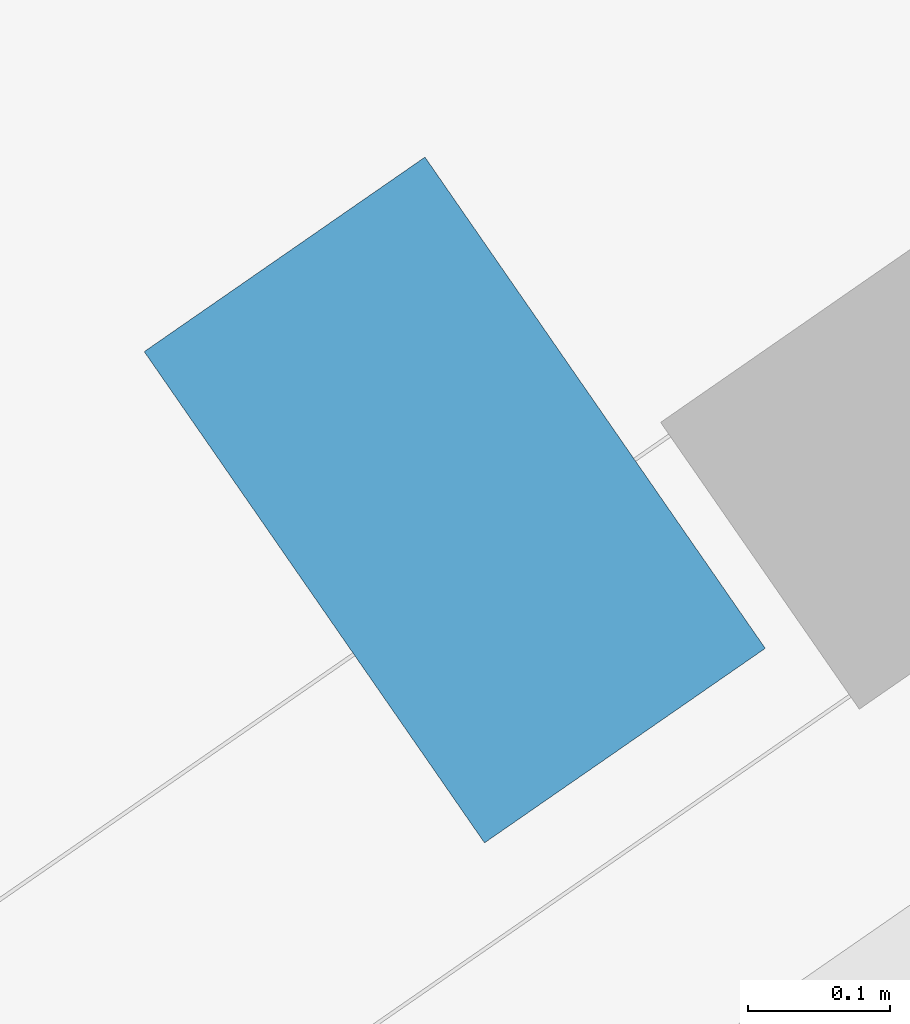
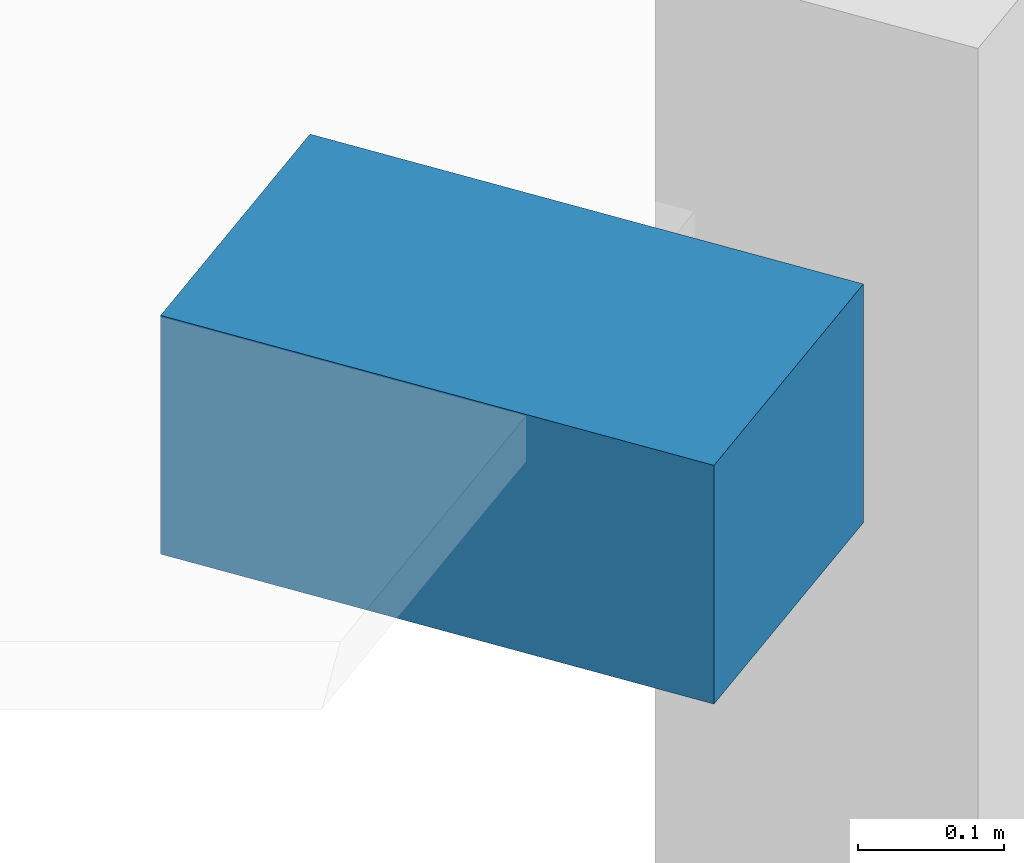
# One storey, part 111 of 125: 1 discrete accessory.
"""IFC4 building model written with IfcOpenShell, lengths in metres."""

from ifc_helpers import new_model, si_unit, direction, frame, origin, origin_2d, place, context, subcontext, project, spatial, rectangle, extrude, material, type_object, element, save


model = new_model("IFC4")

# Units and contexts
model_context = context("Model", 3, precision=1e-05, world=origin(), true_north=direction((0.0, 1.0)))
body_context = subcontext(model_context, "Body", "Model", "MODEL_VIEW")
ifc_project = project(units=[si_unit("LENGTHUNIT", "METRE"), si_unit("AREAUNIT", "SQUARE_METRE"), si_unit("VOLUMEUNIT", "CUBIC_METRE"), si_unit("PLANEANGLEUNIT", "RADIAN"), si_unit("MASSUNIT", "GRAM", prefix="KILO")], contexts=[model_context])

# Site, building, storey
site_placement = place(None, origin())
site = spatial("IfcSite", under=ifc_project, at=site_placement, CompositionType="ELEMENT")
building_placement = place(site_placement, origin())
building = spatial("IfcBuilding", under=site, at=building_placement, Name="Wrenclough Park School", CompositionType="ELEMENT")
storey_placement = place(building_placement, frame((0.0, 0.0, 4.199951171875)))
storey = spatial("IfcBuildingStorey", under=building, at=storey_placement, Name="L01", CompositionType="ELEMENT", Elevation=4.199951171875)

# Discrete accessory
ifc_material = material(Name="Austenitic stainless steel Grade 1.4401", Category="steel")
discrete_accessory_type = type_object("IfcDiscreteAccessoryType", Name="ENV-BRK-01", PredefinedType="BRACKET", material=ifc_material)
discrete_accessory_placement = place(storey_placement, frame((76.32958984375, 121.64501953125, 3.5400390625), z_axis=(0.0, 0.0, 1.0), x_axis=(-0.8220077158, -0.569476351718, 0.0)))
element("IfcDiscreteAccessory", 1, at=discrete_accessory_placement, inside=storey, type_object=discrete_accessory_type, Name="Brise-soleil stainless outrigger bracket 0049", PredefinedType="BRACKET", context=body_context, shape_type="SweptSolid", body=[
    extrude(rectangle(XDim=0.239990234375, YDim=0.419921875, at=origin_2d()), origin(), (0.0, 0.0, 1.0), 0.199951171875),
])

save(model, "model.ifc")
